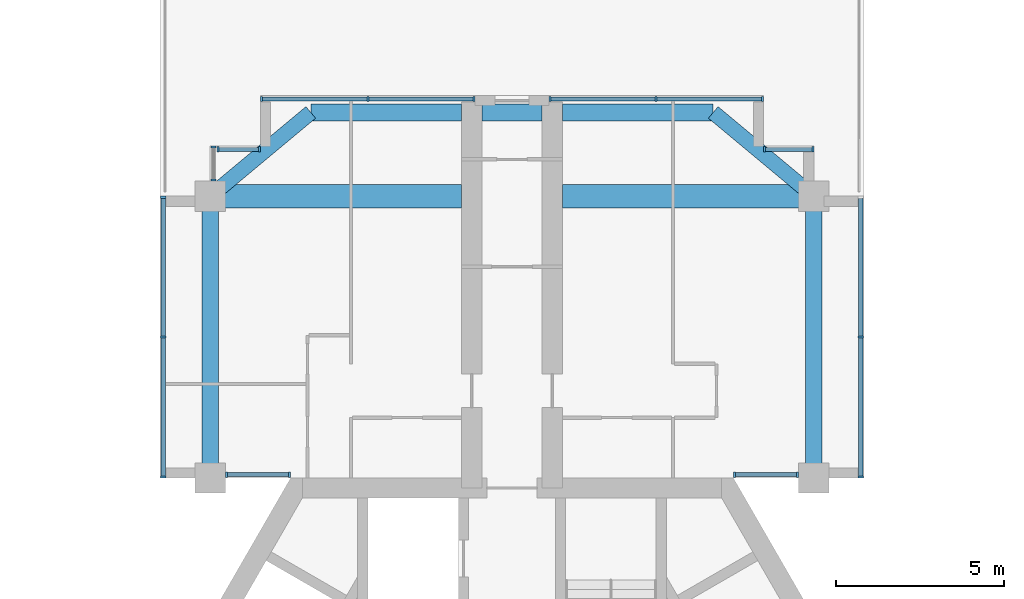
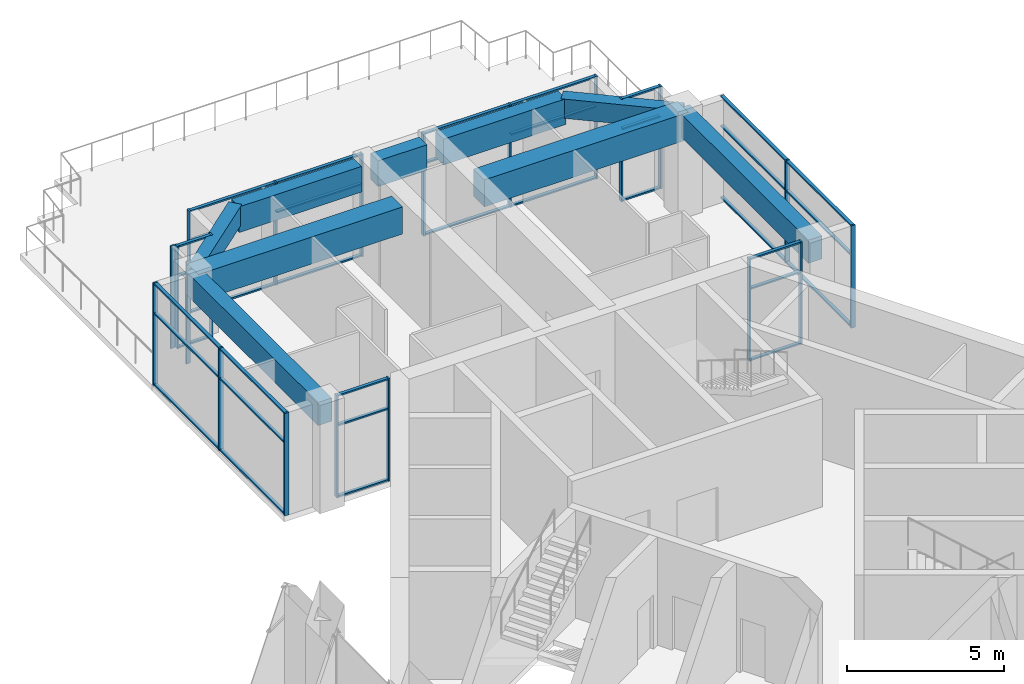
# One storey, part 6 of 15: 57 members, 9 beams, 9 elements without a shape of their own.
"""IFC4 building model written with IfcOpenShell, lengths in metres."""

import ifcopenshell
import ifcopenshell.guid

model = None  # the IFC model being written
_history = None  # IfcOwnerHistory: only IFC2X3 demands one
_inside = {}  # id of a spatial element -> (the spatial element, [elements in it])
_under = {}  # id of a project, library or spatial element -> (it, [spatial elements below it])
_declared = {}  # id of a project -> (the project, [libraries it declares])
_typed = {}  # id of a type object -> (the type object, [elements of that type])
_made_of = {}  # id of a material, layer set ... -> (it, [elements and type objects made of it])


def new_model(schema):
    """Start an empty IFC model of exactly this schema.

    Asked for "IFC4X3", IfcOpenShell would pick the latest addendum, in which some entities
    have other attributes; the version numbers below select the first issue.
    IFC2X3 requires an IfcOwnerHistory on every rooted entity: one is made here for all.
    """
    global model, _history
    if schema == "IFC4X3":
        model = ifcopenshell.file(schema_version=(4, 3, 0, 0))
    else:
        model = ifcopenshell.file(schema=schema)
    _inside.clear()
    _under.clear()
    _declared.clear()
    _typed.clear()
    _made_of.clear()
    _history = None
    if model.schema == "IFC2X3":
        org = make("IfcOrganization", Name="unknown")
        user = make(
            "IfcPersonAndOrganization",
            ThePerson=make("IfcPerson", FamilyName="unknown"),
            TheOrganization=org,
        )
        app = make(
            "IfcApplication",
            ApplicationDeveloper=org,
            Version="unknown",
            ApplicationFullName="unknown",
            ApplicationIdentifier="unknown",
        )
        _history = make(
            "IfcOwnerHistory",
            OwningUser=user,
            OwningApplication=app,
            ChangeAction="ADDED",
            CreationDate=0,
        )
    return model


def make(cls, **values):
    """One entity of the class cls with the attributes given. An attribute that is None is left unset."""
    return model.create_entity(
        cls, **{name: value for name, value in values.items() if value is not None}
    )


def rooted(cls, **values):
    """An entity with a GlobalId (a new one), such as an element, a storey or a relation."""
    return make(cls, GlobalId=ifcopenshell.guid.new(), OwnerHistory=_history, **values)


def si_unit(unit_type, name, prefix=None):
    """IfcSIUnit, for example si_unit("LENGTHUNIT", "METRE", prefix="MILLI")."""
    return make("IfcSIUnit", UnitType=unit_type, Prefix=prefix, Name=name)


def assignment(units):
    """IfcUnitAssignment: the units of a project."""
    return None if units is None else make("IfcUnitAssignment", Units=units)


def point(xyz):
    """IfcCartesianPoint."""
    return None if xyz is None else make("IfcCartesianPoint", Coordinates=xyz)


def direction(xyz):
    """IfcDirection."""
    return None if xyz is None else make("IfcDirection", DirectionRatios=xyz)


def frame(location, z_axis=None, x_axis=None):
    """IfcAxis2Placement3D, a coordinate frame: its origin and axes. An axis left out is left unset."""
    return make(
        "IfcAxis2Placement3D",
        Location=point(location),
        Axis=direction(z_axis),
        RefDirection=direction(x_axis),
    )


def frame_2d(location, x_axis=None):
    """IfcAxis2Placement2D, a coordinate frame in the plane: its origin and x axis."""
    return make(
        "IfcAxis2Placement2D", Location=point(location), RefDirection=direction(x_axis)
    )


def origin():
    """The frame at (0, 0, 0) with its axes left unset."""
    return frame((0.0, 0.0, 0.0))


def origin_2d():
    """The frame at (0, 0) in the plane with its x axis left unset."""
    return frame_2d((0.0, 0.0))


def place(relative_to, where):
    """IfcLocalPlacement: puts the frame where relative to a parent placement (None: the world)."""
    return make(
        "IfcLocalPlacement", PlacementRelTo=relative_to, RelativePlacement=where
    )


def context(
    kind, dimensions, precision=None, world=None, true_north=None, identifier=None
):
    """IfcGeometricRepresentationContext, for example the 3D "Model" context."""
    return make(
        "IfcGeometricRepresentationContext",
        ContextIdentifier=identifier,
        ContextType=kind,
        CoordinateSpaceDimension=dimensions,
        Precision=precision,
        WorldCoordinateSystem=world,
        TrueNorth=true_north,
    )


def subcontext(parent, identifier, kind, view, scale=None):
    """IfcGeometricRepresentationSubContext, for example "Body" below "Model"."""
    return make(
        "IfcGeometricRepresentationSubContext",
        ContextIdentifier=identifier,
        ContextType=kind,
        ParentContext=parent,
        TargetScale=scale,
        TargetView=view,
    )


def project(units=None, contexts=None):
    """IfcProject with its units and contexts."""
    return rooted(
        "IfcProject",
        Name="project",
        RepresentationContexts=contexts,
        UnitsInContext=assignment(units),
    )


def spatial(cls, under=None, at=None, **own):
    """A site, building, storey or space (cls), placed at a placement, below another one or the project."""
    s = rooted(cls, ObjectPlacement=at, **own)
    if under is not None:
        _under.setdefault(under.id(), (under, []))[1].append(s)
    return s


def profile(cls, at=None, kind="AREA", **sizes):
    """A parametric profile (cls). Its sizes go by their IFC names, for example OverallWidth=200.0."""
    return make(cls, ProfileType=kind, Position=at, **sizes)


def rectangle(**sizes):
    """IfcRectangleProfileDef."""
    return profile("IfcRectangleProfileDef", **sizes)


def extrude(swept, where, along, depth):
    """IfcExtrudedAreaSolid: the profile swept, set in the frame where, extruded along a direction by depth."""
    return make(
        "IfcExtrudedAreaSolid",
        SweptArea=swept,
        Position=where,
        ExtrudedDirection=direction(along),
        Depth=depth,
    )


def shape(context_of_items, identifier, shape_type, items):
    """IfcShapeRepresentation: the items that make up one representation, for example the "Body"."""
    return make(
        "IfcShapeRepresentation",
        ContextOfItems=context_of_items,
        RepresentationIdentifier=identifier,
        RepresentationType=shape_type,
        Items=items,
    )


def material(Name=None, Category=None):
    """IfcMaterial."""
    return make("IfcMaterial", Name=Name, Category=Category)


def material_profile(
    of_material, cross_section, Name=None, Category=None, Priority=None
):
    """IfcMaterialProfile: a cross section and its material."""
    return make(
        "IfcMaterialProfile",
        Name=Name,
        Material=of_material,
        Profile=cross_section,
        Priority=Priority,
        Category=Category,
    )


def profile_set(profiles, Name=None, composite=None):
    """IfcMaterialProfileSet."""
    return make(
        "IfcMaterialProfileSet",
        Name=Name,
        MaterialProfiles=profiles,
        CompositeProfile=composite,
    )


def made_of(thing, what):
    """Note that an element or type object is made of a material, layer set ...; save() writes the relation."""
    if what is not None:
        _made_of.setdefault(what.id(), (what, []))[1].append(thing)
    return thing


def type_object(cls, material=None, **own):
    """A type object (cls), such as IfcWallType, which elements share."""
    return made_of(rooted(cls, **own), material)


def element(
    cls,
    number,
    at=None,
    inside=None,
    cuts=None,
    type_object=None,
    material=None,
    context=None,
    identifier="Body",
    shape_type=None,
    held_by="IfcProductDefinitionShape",
    body=None,
    shapes=None,
    **own,
):
    """One element of the class cls, such as IfcWall. Its Tag is "e" and its number.

    at: its placement. inside: the storey or other place that contains it. cuts: it is an
    opening in that element (IfcRelVoidsElement). A single representation is given by context,
    identifier, shape_type and body (its items); several are given by shapes. held_by: the class
    of the entity that holds the representations. save() writes the other relations.
    """
    e = rooted(cls, Tag="e%d" % number, ObjectPlacement=at, **own)
    if body is not None:
        shapes = [shape(context, identifier, shape_type, body)]
    if shapes is not None:
        e.Representation = make(held_by, Representations=shapes)
    if inside is not None:
        _inside.setdefault(inside.id(), (inside, []))[1].append(e)
    if cuts is not None:
        rooted(
            "IfcRelVoidsElement", RelatingBuildingElement=cuts, RelatedOpeningElement=e
        )
    if type_object is not None:
        _typed.setdefault(type_object.id(), (type_object, []))[1].append(e)
    return made_of(e, material)


def aggregate(whole, parts):
    """IfcRelAggregates: a whole, such as a stair, and the parts it consists of."""
    return rooted("IfcRelAggregates", RelatingObject=whole, RelatedObjects=parts)


def save(model, path):
    """Write the relations noted so far, then the file.

    IfcRelAggregates (storeys below a building ...), IfcRelContainedInSpatialStructure (elements
    in a storey), IfcRelDefinesByType, IfcRelAssociatesMaterial and IfcRelDeclares: one each for
    every whole, place, type object, material and project.
    """
    for whole, parts in _under.values():
        aggregate(whole, parts)
    for where, things in _inside.values():
        rooted(
            "IfcRelContainedInSpatialStructure",
            RelatedElements=things,
            RelatingStructure=where,
        )
    for kind, things in _typed.values():
        rooted("IfcRelDefinesByType", RelatedObjects=things, RelatingType=kind)
    for what, things in _made_of.values():
        rooted("IfcRelAssociatesMaterial", RelatedObjects=things, RelatingMaterial=what)
    for by, libraries in _declared.values():
        rooted("IfcRelDeclares", RelatingContext=by, RelatedDefinitions=libraries)
    model.write(path)


model = new_model("IFC4")

# Units and contexts
model_context = context("Model", 3, precision=1e-05, world=origin(), true_north=direction((0.0, 1.0)))
body_context = subcontext(model_context, "Body", "Model", "MODEL_VIEW")
ifc_project = project(units=[si_unit("LENGTHUNIT", "METRE"), si_unit("AREAUNIT", "SQUARE_METRE"), si_unit("VOLUMEUNIT", "CUBIC_METRE"), si_unit("PLANEANGLEUNIT", "RADIAN"), si_unit("MASSUNIT", "GRAM", prefix="KILO")], contexts=[model_context])

# Site, building, storey
site_placement = place(None, origin())
site = spatial("IfcSite", under=ifc_project, at=site_placement, CompositionType="ELEMENT")
building_placement = place(site_placement, origin())
building = spatial("IfcBuilding", under=site, at=building_placement, Name="Impinga Residences", CompositionType="ELEMENT")
storey_placement = place(building_placement, frame((0.0, 0.0, 274.75)))
storey = spatial("IfcBuildingStorey", under=building, at=storey_placement, Name="L69", CompositionType="ELEMENT", Elevation=274.75)

# Beams
ifc_material_1 = material(Name="Concrete C60/75", Category="concrete")
ifc_material_profile_1 = material_profile(ifc_material_1, rectangle(XDim=0.449951171875, YDim=0.75, at=origin_2d()), Name="RC 450x750")
ifc_profile_set_1 = profile_set([ifc_material_profile_1], Name="Concrete C60/75")
beam_type_1 = type_object("IfcBeamType", Name="CB1 450x750 wing end cantilever beam", PredefinedType="BEAM", material=ifc_profile_set_1)
for number, where, z_axis, x_axis, name in (
    (1, (-9.0, 19.83154296875, 3.60498046875), (0.768221279597, 0.640184399664, 0.0), (-0.640184399664, 0.768221279597, 0.0), "Beam CB1 NB N2-NX level L70"),
    (2, (9.0, 19.83154296875, 3.60498046875), (-0.768221279597, 0.640184399664, 0.0), (-0.640184399664, -0.768221279597, 0.0), "Beam CB1 NE N2-NX level L70"),
):
    element("IfcBeam", number, at=place(storey_placement, frame(where, z_axis=z_axis, x_axis=x_axis)), inside=storey, type_object=beam_type_1, Name=name, PredefinedType="BEAM", context=body_context, shape_type="SweptSolid", body=[
        extrude(rectangle(XDim=0.449951171875, YDim=0.75, at=origin_2d()), origin(), (0.0, 0.0, 1.0), 3.905029296875),
    ])
ifc_material_profile_2 = material_profile(ifc_material_1, rectangle(XDim=0.699951171875, YDim=1.050048828125, at=origin_2d()), Name="RC 700x1050")
ifc_profile_set_2 = profile_set([ifc_material_profile_2], Name="Concrete C60/75")
beam_type_2 = type_object("IfcBeamType", Name="CG1 700x1050 cross girder on a wing bay line", PredefinedType="BEAM", material=ifc_profile_set_2)
for number, where, z_axis, x_axis, name in (
    (3, (-1.5, 19.83154296875, 3.455078125), (-1.0, 0.0, 0.0), (0.0, -1.0, 0.0), "Beam CG1 N2 NC/NA level L70"),
    (4, (1.5, 19.83154296875, 3.455078125), (1.0, 0.0, 0.0), (0.0, 1.0, 0.0), "Beam CG1 N2 NC/NF level L70"),
):
    element("IfcBeam", number, at=place(storey_placement, frame(where, z_axis=z_axis, x_axis=x_axis)), inside=storey, type_object=beam_type_2, Name=name, PredefinedType="BEAM", context=body_context, shape_type="SweptSolid", body=[
        extrude(rectangle(XDim=0.699951171875, YDim=1.050048828125, at=origin_2d()), origin(), (0.0, 0.0, 1.0), 7.5),
    ])

# Curtain wall, members
ifc_material_2 = material(Name="Aluminium stick curtain wall", Category="aluminium")
curtain_wall_type = type_object("IfcCurtainWallType", Name="CW3 penthouse curtain wall", PredefinedType="USERDEFINED", material=ifc_material_2)
curtain_wall_1_placement = place(storey_placement, origin())
curtain_wall_1 = element("IfcCurtainWall", 5, at=curtain_wall_1_placement, inside=storey, type_object=curtain_wall_type, Name="Curtain wall CW3 L69", ObjectType="STICK CURTAIN WALL", PredefinedType="USERDEFINED")
ifc_material_3 = material(Name="Aluminium mullion", Category="aluminium")
ifc_material_profile_3 = material_profile(ifc_material_3, rectangle(XDim=0.06005859375, YDim=0.159912109375, at=origin_2d()), Name="60x160 mullion")
ifc_profile_set_3 = profile_set([ifc_material_profile_3], Name="Aluminium mullion")
member_type_1 = type_object("IfcMemberType", Name="CW3-M mullion 60x160", PredefinedType="MULLION", material=ifc_profile_set_3)
member_1_placement = place(storey_placement, frame((-6.6298828125, 11.531494140625, 0.0), z_axis=(0.0, 0.0, 1.0), x_axis=(-1.0, 0.0, 0.0)))
member_1 = element("IfcMember", 6, at=member_1_placement, type_object=member_type_1, Name="CW3 mullion 1", PredefinedType="MULLION", context=body_context, shape_type="SweptSolid", body=[
    extrude(rectangle(XDim=0.06005859375, YDim=0.159912109375, at=origin_2d()), origin(), (0.0, 0.0, 1.0), 3.97998046875),
])
member_2_placement = place(storey_placement, frame((-8.51708984375, 11.531494140625, 0.0), z_axis=(0.0, 0.0, 1.0), x_axis=(-1.0, 0.0, 0.0)))
member_2 = element("IfcMember", 7, at=member_2_placement, type_object=member_type_1, Name="CW3 mullion 2", PredefinedType="MULLION", context=body_context, shape_type="SweptSolid", body=[
    extrude(rectangle(XDim=0.06005859375, YDim=0.159912109375, at=origin_2d()), origin(), (0.0, 0.0, 1.0), 3.97998046875),
])

curtain_wall_2_placement = place(storey_placement, origin())
curtain_wall_2 = element("IfcCurtainWall", 8, at=curtain_wall_2_placement, inside=storey, type_object=curtain_wall_type, Name="Curtain wall CW3 L69", ObjectType="STICK CURTAIN WALL", PredefinedType="USERDEFINED")
member_3_placement = place(storey_placement, frame((-10.39990234375, 11.46142578125, 0.0), z_axis=(0.0, 0.0, 1.0), x_axis=(0.0, 1.0, 0.0)))
member_3 = element("IfcMember", 9, at=member_3_placement, type_object=member_type_1, Name="CW3 mullion 1", PredefinedType="MULLION", context=body_context, shape_type="SweptSolid", body=[
    extrude(rectangle(XDim=0.06005859375, YDim=0.159912109375, at=origin_2d()), origin(), (0.0, 0.0, 1.0), 3.97998046875),
])
member_4_placement = place(storey_placement, frame((-10.39990234375, 15.631591796875, 0.0), z_axis=(0.0, 0.0, 1.0), x_axis=(0.0, 1.0, 0.0)))
member_4 = element("IfcMember", 10, at=member_4_placement, type_object=member_type_1, Name="CW3 mullion 2", PredefinedType="MULLION", context=body_context, shape_type="SweptSolid", body=[
    extrude(rectangle(XDim=0.06005859375, YDim=0.159912109375, at=origin_2d()), origin(), (0.0, 0.0, 1.0), 3.97998046875),
])
member_5_placement = place(storey_placement, frame((-10.39990234375, 19.801513671875, 0.0), z_axis=(0.0, 0.0, 1.0), x_axis=(0.0, 1.0, 0.0)))
member_5 = element("IfcMember", 11, at=member_5_placement, type_object=member_type_1, Name="CW3 mullion 3", PredefinedType="MULLION", context=body_context, shape_type="SweptSolid", body=[
    extrude(rectangle(XDim=0.06005859375, YDim=0.159912109375, at=origin_2d()), origin(), (0.0, 0.0, 1.0), 3.97998046875),
])

curtain_wall_3_placement = place(storey_placement, origin())
curtain_wall_3 = element("IfcCurtainWall", 12, at=curtain_wall_3_placement, inside=storey, type_object=curtain_wall_type, Name="Curtain wall CW3 L69", ObjectType="STICK CURTAIN WALL", PredefinedType="USERDEFINED")
member_6_placement = place(storey_placement, frame((-8.89990234375, 20.314453125, 0.0), z_axis=(0.0, 0.0, 1.0), x_axis=(0.0, 1.0, 0.0)))
member_6 = element("IfcMember", 13, at=member_6_placement, type_object=member_type_1, Name="CW3 mullion 1", PredefinedType="MULLION", context=body_context, shape_type="SweptSolid", body=[
    extrude(rectangle(XDim=0.06005859375, YDim=0.159912109375, at=origin_2d()), origin(), (0.0, 0.0, 1.0), 3.97998046875),
])
member_7_placement = place(storey_placement, frame((-8.89990234375, 21.301513671875, 0.0), z_axis=(0.0, 0.0, 1.0), x_axis=(0.0, 1.0, 0.0)))
member_7 = element("IfcMember", 14, at=member_7_placement, type_object=member_type_1, Name="CW3 mullion 2", PredefinedType="MULLION", context=body_context, shape_type="SweptSolid", body=[
    extrude(rectangle(XDim=0.06005859375, YDim=0.159912109375, at=origin_2d()), origin(), (0.0, 0.0, 1.0), 3.97998046875),
])
aggregate(curtain_wall_3, [member_6, member_7])

curtain_wall_4_placement = place(storey_placement, origin())
curtain_wall_4 = element("IfcCurtainWall", 15, at=curtain_wall_4_placement, inside=storey, type_object=curtain_wall_type, Name="Curtain wall CW3 L69", ObjectType="STICK CURTAIN WALL", PredefinedType="USERDEFINED")
member_8_placement = place(storey_placement, frame((-8.77001953125, 21.2314453125, 0.0), z_axis=(0.0, 0.0, 1.0), x_axis=(1.0, 0.0, 0.0)))
member_8 = element("IfcMember", 16, at=member_8_placement, type_object=member_type_1, Name="CW3 mullion 1", PredefinedType="MULLION", context=body_context, shape_type="SweptSolid", body=[
    extrude(rectangle(XDim=0.06005859375, YDim=0.159912109375, at=origin_2d()), origin(), (0.0, 0.0, 1.0), 3.97998046875),
])
member_9_placement = place(storey_placement, frame((-7.530029296875, 21.2314453125, 0.0), z_axis=(0.0, 0.0, 1.0), x_axis=(1.0, 0.0, 0.0)))
member_9 = element("IfcMember", 17, at=member_9_placement, type_object=member_type_1, Name="CW3 mullion 2", PredefinedType="MULLION", context=body_context, shape_type="SweptSolid", body=[
    extrude(rectangle(XDim=0.06005859375, YDim=0.159912109375, at=origin_2d()), origin(), (0.0, 0.0, 1.0), 3.97998046875),
])

curtain_wall_5_placement = place(storey_placement, origin())
curtain_wall_5 = element("IfcCurtainWall", 18, at=curtain_wall_5_placement, inside=storey, type_object=curtain_wall_type, Name="Curtain wall CW3 L69", ObjectType="STICK CURTAIN WALL", PredefinedType="USERDEFINED")
member_10_placement = place(storey_placement, frame((-7.469970703125, 22.7314453125, 0.0), z_axis=(0.0, 0.0, 1.0), x_axis=(1.0, 0.0, 0.0)))
member_10 = element("IfcMember", 19, at=member_10_placement, type_object=member_type_1, Name="CW3 mullion 1", PredefinedType="MULLION", context=body_context, shape_type="SweptSolid", body=[
    extrude(rectangle(XDim=0.06005859375, YDim=0.159912109375, at=origin_2d()), origin(), (0.0, 0.0, 1.0), 3.97998046875),
])
member_11_placement = place(storey_placement, frame((-4.300048828125, 22.7314453125, 0.0), z_axis=(0.0, 0.0, 1.0), x_axis=(1.0, 0.0, 0.0)))
member_11 = element("IfcMember", 20, at=member_11_placement, type_object=member_type_1, Name="CW3 mullion 2", PredefinedType="MULLION", context=body_context, shape_type="SweptSolid", body=[
    extrude(rectangle(XDim=0.06005859375, YDim=0.159912109375, at=origin_2d()), origin(), (0.0, 0.0, 1.0), 3.97998046875),
])
member_12_placement = place(storey_placement, frame((-1.1298828125, 22.7314453125, 0.0), z_axis=(0.0, 0.0, 1.0), x_axis=(1.0, 0.0, 0.0)))
member_12 = element("IfcMember", 21, at=member_12_placement, type_object=member_type_1, Name="CW3 mullion 3", PredefinedType="MULLION", context=body_context, shape_type="SweptSolid", body=[
    extrude(rectangle(XDim=0.06005859375, YDim=0.159912109375, at=origin_2d()), origin(), (0.0, 0.0, 1.0), 3.97998046875),
])

curtain_wall_6_placement = place(storey_placement, origin())
curtain_wall_6 = element("IfcCurtainWall", 22, at=curtain_wall_6_placement, inside=storey, type_object=curtain_wall_type, Name="Curtain wall CW3 L69", ObjectType="STICK CURTAIN WALL", PredefinedType="USERDEFINED")
member_13_placement = place(storey_placement, frame((1.1298828125, 22.7314453125, 0.0), z_axis=(0.0, 0.0, 1.0), x_axis=(1.0, 0.0, 0.0)))
member_13 = element("IfcMember", 23, at=member_13_placement, type_object=member_type_1, Name="CW3 mullion 1", PredefinedType="MULLION", context=body_context, shape_type="SweptSolid", body=[
    extrude(rectangle(XDim=0.06005859375, YDim=0.159912109375, at=origin_2d()), origin(), (0.0, 0.0, 1.0), 3.97998046875),
])
member_14_placement = place(storey_placement, frame((4.300048828125, 22.7314453125, 0.0), z_axis=(0.0, 0.0, 1.0), x_axis=(1.0, 0.0, 0.0)))
member_14 = element("IfcMember", 24, at=member_14_placement, type_object=member_type_1, Name="CW3 mullion 2", PredefinedType="MULLION", context=body_context, shape_type="SweptSolid", body=[
    extrude(rectangle(XDim=0.06005859375, YDim=0.159912109375, at=origin_2d()), origin(), (0.0, 0.0, 1.0), 3.97998046875),
])
member_15_placement = place(storey_placement, frame((7.469970703125, 22.7314453125, 0.0), z_axis=(0.0, 0.0, 1.0), x_axis=(1.0, 0.0, 0.0)))
member_15 = element("IfcMember", 25, at=member_15_placement, type_object=member_type_1, Name="CW3 mullion 3", PredefinedType="MULLION", context=body_context, shape_type="SweptSolid", body=[
    extrude(rectangle(XDim=0.06005859375, YDim=0.159912109375, at=origin_2d()), origin(), (0.0, 0.0, 1.0), 3.97998046875),
])

curtain_wall_7_placement = place(storey_placement, origin())
curtain_wall_7 = element("IfcCurtainWall", 26, at=curtain_wall_7_placement, inside=storey, type_object=curtain_wall_type, Name="Curtain wall CW3 L69", ObjectType="STICK CURTAIN WALL", PredefinedType="USERDEFINED")
member_16_placement = place(storey_placement, frame((7.530029296875, 21.2314453125, 0.0), z_axis=(0.0, 0.0, 1.0), x_axis=(1.0, 0.0, 0.0)))
member_16 = element("IfcMember", 27, at=member_16_placement, type_object=member_type_1, Name="CW3 mullion 1", PredefinedType="MULLION", context=body_context, shape_type="SweptSolid", body=[
    extrude(rectangle(XDim=0.06005859375, YDim=0.159912109375, at=origin_2d()), origin(), (0.0, 0.0, 1.0), 3.97998046875),
])
member_17_placement = place(storey_placement, frame((8.969970703125, 21.2314453125, 0.0), z_axis=(0.0, 0.0, 1.0), x_axis=(1.0, 0.0, 0.0)))
member_17 = element("IfcMember", 28, at=member_17_placement, type_object=member_type_1, Name="CW3 mullion 2", PredefinedType="MULLION", context=body_context, shape_type="SweptSolid", body=[
    extrude(rectangle(XDim=0.06005859375, YDim=0.159912109375, at=origin_2d()), origin(), (0.0, 0.0, 1.0), 3.97998046875),
])

curtain_wall_8_placement = place(storey_placement, origin())
curtain_wall_8 = element("IfcCurtainWall", 29, at=curtain_wall_8_placement, inside=storey, type_object=curtain_wall_type, Name="Curtain wall CW3 L69", ObjectType="STICK CURTAIN WALL", PredefinedType="USERDEFINED")
member_18_placement = place(storey_placement, frame((10.39990234375, 15.631591796875, 0.0), z_axis=(0.0, 0.0, 1.0), x_axis=(0.0, -1.0, 0.0)))
member_18 = element("IfcMember", 30, at=member_18_placement, type_object=member_type_1, Name="CW3 mullion 2", PredefinedType="MULLION", context=body_context, shape_type="SweptSolid", body=[
    extrude(rectangle(XDim=0.06005859375, YDim=0.159912109375, at=origin_2d()), origin(), (0.0, 0.0, 1.0), 3.97998046875),
])
member_19_placement = place(storey_placement, frame((10.39990234375, 11.46142578125, 0.0), z_axis=(0.0, 0.0, 1.0), x_axis=(0.0, -1.0, 0.0)))
member_19 = element("IfcMember", 31, at=member_19_placement, type_object=member_type_1, Name="CW3 mullion 3", PredefinedType="MULLION", context=body_context, shape_type="SweptSolid", body=[
    extrude(rectangle(XDim=0.06005859375, YDim=0.159912109375, at=origin_2d()), origin(), (0.0, 0.0, 1.0), 3.97998046875),
])

curtain_wall_9_placement = place(storey_placement, origin())
curtain_wall_9 = element("IfcCurtainWall", 32, at=curtain_wall_9_placement, inside=storey, type_object=curtain_wall_type, Name="Curtain wall CW3 L69", ObjectType="STICK CURTAIN WALL", PredefinedType="USERDEFINED")
member_20_placement = place(storey_placement, frame((8.51708984375, 11.531494140625, 0.0), z_axis=(0.0, 0.0, 1.0), x_axis=(-1.0, 0.0, 0.0)))
member_20 = element("IfcMember", 33, at=member_20_placement, type_object=member_type_1, Name="CW3 mullion 1", PredefinedType="MULLION", context=body_context, shape_type="SweptSolid", body=[
    extrude(rectangle(XDim=0.06005859375, YDim=0.159912109375, at=origin_2d()), origin(), (0.0, 0.0, 1.0), 3.97998046875),
])
member_21_placement = place(storey_placement, frame((6.6298828125, 11.531494140625, 0.0), z_axis=(0.0, 0.0, 1.0), x_axis=(-1.0, 0.0, 0.0)))
member_21 = element("IfcMember", 34, at=member_21_placement, type_object=member_type_1, Name="CW3 mullion 2", PredefinedType="MULLION", context=body_context, shape_type="SweptSolid", body=[
    extrude(rectangle(XDim=0.06005859375, YDim=0.159912109375, at=origin_2d()), origin(), (0.0, 0.0, 1.0), 3.97998046875),
])

# Member
ifc_material_4 = material(Name="Aluminium transom", Category="aluminium")
ifc_material_profile_4 = material_profile(ifc_material_4, rectangle(XDim=0.06005859375, YDim=0.1201171875, at=origin_2d()), Name="60x120 transom")
ifc_profile_set_4 = profile_set([ifc_material_profile_4], Name="Aluminium transom")
member_type_2 = type_object("IfcMemberType", Name="CW3-T transom 60x120", PredefinedType="USERDEFINED", material=ifc_profile_set_4)
member_22_placement = place(storey_placement, frame((-6.659912109375, 11.531494140625, 0.030029296875), z_axis=(-1.0, 0.0, 0.0), x_axis=(0.0, 0.0, 1.0)))
member_22 = element("IfcMember", 35, at=member_22_placement, type_object=member_type_2, Name="CW3 transom 1.1", ObjectType="TRANSOM", PredefinedType="USERDEFINED", context=body_context, shape_type="SweptSolid", body=[
    extrude(rectangle(XDim=0.06005859375, YDim=0.1201171875, at=origin_2d()), origin(), (0.0, 0.0, 1.0), 1.8271484375),
])

member_23_placement = place(storey_placement, frame((-6.659912109375, 11.531494140625, 2.800048828125), z_axis=(-1.0, 0.0, 0.0), x_axis=(0.0, 0.0, 1.0)))
member_23 = element("IfcMember", 36, at=member_23_placement, type_object=member_type_2, Name="CW3 transom 1.2", ObjectType="TRANSOM", PredefinedType="USERDEFINED", context=body_context, shape_type="SweptSolid", body=[
    extrude(rectangle(XDim=0.06005859375, YDim=0.1201171875, at=origin_2d()), origin(), (0.0, 0.0, 1.0), 1.8271484375),
])

member_24_placement = place(storey_placement, frame((-6.659912109375, 11.531494140625, 3.949951171875), z_axis=(-1.0, 0.0, 0.0), x_axis=(0.0, 0.0, 1.0)))
member_24 = element("IfcMember", 37, at=member_24_placement, type_object=member_type_2, Name="CW3 transom 1.3", ObjectType="TRANSOM", PredefinedType="USERDEFINED", context=body_context, shape_type="SweptSolid", body=[
    extrude(rectangle(XDim=0.06005859375, YDim=0.1201171875, at=origin_2d()), origin(), (0.0, 0.0, 1.0), 1.8271484375),
])

aggregate(curtain_wall_1, [member_1, member_2, member_22, member_23, member_24])

member_25_placement = place(storey_placement, frame((-10.39990234375, 11.491455078125, 0.030029296875), z_axis=(0.0, 1.0, 0.0), x_axis=(0.0, 0.0, 1.0)))
member_25 = element("IfcMember", 38, at=member_25_placement, type_object=member_type_2, Name="CW3 transom 1.1", ObjectType="TRANSOM", PredefinedType="USERDEFINED", context=body_context, shape_type="SweptSolid", body=[
    extrude(rectangle(XDim=0.06005859375, YDim=0.1201171875, at=origin_2d()), origin(), (0.0, 0.0, 1.0), 4.110107421875),
])

member_26_placement = place(storey_placement, frame((-10.39990234375, 11.491455078125, 2.800048828125), z_axis=(0.0, 1.0, 0.0), x_axis=(0.0, 0.0, 1.0)))
member_26 = element("IfcMember", 39, at=member_26_placement, type_object=member_type_2, Name="CW3 transom 1.2", ObjectType="TRANSOM", PredefinedType="USERDEFINED", context=body_context, shape_type="SweptSolid", body=[
    extrude(rectangle(XDim=0.06005859375, YDim=0.1201171875, at=origin_2d()), origin(), (0.0, 0.0, 1.0), 4.110107421875),
])

member_27_placement = place(storey_placement, frame((-10.39990234375, 11.491455078125, 3.949951171875), z_axis=(0.0, 1.0, 0.0), x_axis=(0.0, 0.0, 1.0)))
member_27 = element("IfcMember", 40, at=member_27_placement, type_object=member_type_2, Name="CW3 transom 1.3", ObjectType="TRANSOM", PredefinedType="USERDEFINED", context=body_context, shape_type="SweptSolid", body=[
    extrude(rectangle(XDim=0.06005859375, YDim=0.1201171875, at=origin_2d()), origin(), (0.0, 0.0, 1.0), 4.110107421875),
])

member_28_placement = place(storey_placement, frame((-10.39990234375, 15.66162109375, 0.030029296875), z_axis=(0.0, 1.0, 0.0), x_axis=(0.0, 0.0, 1.0)))
member_28 = element("IfcMember", 41, at=member_28_placement, type_object=member_type_2, Name="CW3 transom 2.1", ObjectType="TRANSOM", PredefinedType="USERDEFINED", context=body_context, shape_type="SweptSolid", body=[
    extrude(rectangle(XDim=0.06005859375, YDim=0.1201171875, at=origin_2d()), origin(), (0.0, 0.0, 1.0), 4.10986328125),
])

member_29_placement = place(storey_placement, frame((-10.39990234375, 15.66162109375, 2.800048828125), z_axis=(0.0, 1.0, 0.0), x_axis=(0.0, 0.0, 1.0)))
member_29 = element("IfcMember", 42, at=member_29_placement, type_object=member_type_2, Name="CW3 transom 2.2", ObjectType="TRANSOM", PredefinedType="USERDEFINED", context=body_context, shape_type="SweptSolid", body=[
    extrude(rectangle(XDim=0.06005859375, YDim=0.1201171875, at=origin_2d()), origin(), (0.0, 0.0, 1.0), 4.10986328125),
])

member_30_placement = place(storey_placement, frame((-10.39990234375, 15.66162109375, 3.949951171875), z_axis=(0.0, 1.0, 0.0), x_axis=(0.0, 0.0, 1.0)))
member_30 = element("IfcMember", 43, at=member_30_placement, type_object=member_type_2, Name="CW3 transom 2.3", ObjectType="TRANSOM", PredefinedType="USERDEFINED", context=body_context, shape_type="SweptSolid", body=[
    extrude(rectangle(XDim=0.06005859375, YDim=0.1201171875, at=origin_2d()), origin(), (0.0, 0.0, 1.0), 4.10986328125),
])

aggregate(curtain_wall_2, [member_3, member_4, member_5, member_25, member_26, member_27, member_28, member_29, member_30])

member_31_placement = place(storey_placement, frame((-8.739990234375, 21.2314453125, 0.030029296875), z_axis=(1.0, 0.0, 0.0), x_axis=(0.0, 0.0, 1.0)))
member_31 = element("IfcMember", 44, at=member_31_placement, type_object=member_type_2, Name="CW3 transom 1.1", ObjectType="TRANSOM", PredefinedType="USERDEFINED", context=body_context, shape_type="SweptSolid", body=[
    extrude(rectangle(XDim=0.06005859375, YDim=0.1201171875, at=origin_2d()), origin(), (0.0, 0.0, 1.0), 1.179931640625),
])

member_32_placement = place(storey_placement, frame((-8.739990234375, 21.2314453125, 2.800048828125), z_axis=(1.0, 0.0, 0.0), x_axis=(0.0, 0.0, 1.0)))
member_32 = element("IfcMember", 45, at=member_32_placement, type_object=member_type_2, Name="CW3 transom 1.2", ObjectType="TRANSOM", PredefinedType="USERDEFINED", context=body_context, shape_type="SweptSolid", body=[
    extrude(rectangle(XDim=0.06005859375, YDim=0.1201171875, at=origin_2d()), origin(), (0.0, 0.0, 1.0), 1.179931640625),
])

member_33_placement = place(storey_placement, frame((-8.739990234375, 21.2314453125, 3.949951171875), z_axis=(1.0, 0.0, 0.0), x_axis=(0.0, 0.0, 1.0)))
member_33 = element("IfcMember", 46, at=member_33_placement, type_object=member_type_2, Name="CW3 transom 1.3", ObjectType="TRANSOM", PredefinedType="USERDEFINED", context=body_context, shape_type="SweptSolid", body=[
    extrude(rectangle(XDim=0.06005859375, YDim=0.1201171875, at=origin_2d()), origin(), (0.0, 0.0, 1.0), 1.179931640625),
])

aggregate(curtain_wall_4, [member_8, member_9, member_31, member_32, member_33])

member_34_placement = place(storey_placement, frame((-7.43994140625, 22.7314453125, 0.030029296875), z_axis=(1.0, 0.0, 0.0), x_axis=(0.0, 0.0, 1.0)))
member_34 = element("IfcMember", 47, at=member_34_placement, type_object=member_type_2, Name="CW3 transom 1.1", ObjectType="TRANSOM", PredefinedType="USERDEFINED", context=body_context, shape_type="SweptSolid", body=[
    extrude(rectangle(XDim=0.06005859375, YDim=0.1201171875, at=origin_2d()), origin(), (0.0, 0.0, 1.0), 3.10986328125),
])

member_35_placement = place(storey_placement, frame((-7.43994140625, 22.7314453125, 2.800048828125), z_axis=(1.0, 0.0, 0.0), x_axis=(0.0, 0.0, 1.0)))
member_35 = element("IfcMember", 48, at=member_35_placement, type_object=member_type_2, Name="CW3 transom 1.2", ObjectType="TRANSOM", PredefinedType="USERDEFINED", context=body_context, shape_type="SweptSolid", body=[
    extrude(rectangle(XDim=0.06005859375, YDim=0.1201171875, at=origin_2d()), origin(), (0.0, 0.0, 1.0), 3.10986328125),
])

member_36_placement = place(storey_placement, frame((-7.43994140625, 22.7314453125, 3.949951171875), z_axis=(1.0, 0.0, 0.0), x_axis=(0.0, 0.0, 1.0)))
member_36 = element("IfcMember", 49, at=member_36_placement, type_object=member_type_2, Name="CW3 transom 1.3", ObjectType="TRANSOM", PredefinedType="USERDEFINED", context=body_context, shape_type="SweptSolid", body=[
    extrude(rectangle(XDim=0.06005859375, YDim=0.1201171875, at=origin_2d()), origin(), (0.0, 0.0, 1.0), 3.10986328125),
])

member_37_placement = place(storey_placement, frame((-4.27001953125, 22.7314453125, 0.030029296875), z_axis=(1.0, 0.0, 0.0), x_axis=(0.0, 0.0, 1.0)))
member_37 = element("IfcMember", 50, at=member_37_placement, type_object=member_type_2, Name="CW3 transom 2.1", ObjectType="TRANSOM", PredefinedType="USERDEFINED", context=body_context, shape_type="SweptSolid", body=[
    extrude(rectangle(XDim=0.06005859375, YDim=0.1201171875, at=origin_2d()), origin(), (0.0, 0.0, 1.0), 3.110107421875),
])

member_38_placement = place(storey_placement, frame((-4.27001953125, 22.7314453125, 2.800048828125), z_axis=(1.0, 0.0, 0.0), x_axis=(0.0, 0.0, 1.0)))
member_38 = element("IfcMember", 51, at=member_38_placement, type_object=member_type_2, Name="CW3 transom 2.2", ObjectType="TRANSOM", PredefinedType="USERDEFINED", context=body_context, shape_type="SweptSolid", body=[
    extrude(rectangle(XDim=0.06005859375, YDim=0.1201171875, at=origin_2d()), origin(), (0.0, 0.0, 1.0), 3.110107421875),
])

member_39_placement = place(storey_placement, frame((-4.27001953125, 22.7314453125, 3.949951171875), z_axis=(1.0, 0.0, 0.0), x_axis=(0.0, 0.0, 1.0)))
member_39 = element("IfcMember", 52, at=member_39_placement, type_object=member_type_2, Name="CW3 transom 2.3", ObjectType="TRANSOM", PredefinedType="USERDEFINED", context=body_context, shape_type="SweptSolid", body=[
    extrude(rectangle(XDim=0.06005859375, YDim=0.1201171875, at=origin_2d()), origin(), (0.0, 0.0, 1.0), 3.110107421875),
])

aggregate(curtain_wall_5, [member_10, member_11, member_12, member_34, member_35, member_36, member_37, member_38, member_39])

member_40_placement = place(storey_placement, frame((1.159912109375, 22.7314453125, 0.030029296875), z_axis=(1.0, 0.0, 0.0), x_axis=(0.0, 0.0, 1.0)))
member_40 = element("IfcMember", 53, at=member_40_placement, type_object=member_type_2, Name="CW3 transom 1.1", ObjectType="TRANSOM", PredefinedType="USERDEFINED", context=body_context, shape_type="SweptSolid", body=[
    extrude(rectangle(XDim=0.06005859375, YDim=0.1201171875, at=origin_2d()), origin(), (0.0, 0.0, 1.0), 3.110107421875),
])

member_41_placement = place(storey_placement, frame((1.159912109375, 22.7314453125, 2.800048828125), z_axis=(1.0, 0.0, 0.0), x_axis=(0.0, 0.0, 1.0)))
member_41 = element("IfcMember", 54, at=member_41_placement, type_object=member_type_2, Name="CW3 transom 1.2", ObjectType="TRANSOM", PredefinedType="USERDEFINED", context=body_context, shape_type="SweptSolid", body=[
    extrude(rectangle(XDim=0.06005859375, YDim=0.1201171875, at=origin_2d()), origin(), (0.0, 0.0, 1.0), 3.110107421875),
])

member_42_placement = place(storey_placement, frame((1.159912109375, 22.7314453125, 3.949951171875), z_axis=(1.0, 0.0, 0.0), x_axis=(0.0, 0.0, 1.0)))
member_42 = element("IfcMember", 55, at=member_42_placement, type_object=member_type_2, Name="CW3 transom 1.3", ObjectType="TRANSOM", PredefinedType="USERDEFINED", context=body_context, shape_type="SweptSolid", body=[
    extrude(rectangle(XDim=0.06005859375, YDim=0.1201171875, at=origin_2d()), origin(), (0.0, 0.0, 1.0), 3.110107421875),
])

member_43_placement = place(storey_placement, frame((4.330078125, 22.7314453125, 0.030029296875), z_axis=(1.0, 0.0, 0.0), x_axis=(0.0, 0.0, 1.0)))
member_43 = element("IfcMember", 56, at=member_43_placement, type_object=member_type_2, Name="CW3 transom 2.1", ObjectType="TRANSOM", PredefinedType="USERDEFINED", context=body_context, shape_type="SweptSolid", body=[
    extrude(rectangle(XDim=0.06005859375, YDim=0.1201171875, at=origin_2d()), origin(), (0.0, 0.0, 1.0), 3.10986328125),
])

member_44_placement = place(storey_placement, frame((4.330078125, 22.7314453125, 2.800048828125), z_axis=(1.0, 0.0, 0.0), x_axis=(0.0, 0.0, 1.0)))
member_44 = element("IfcMember", 57, at=member_44_placement, type_object=member_type_2, Name="CW3 transom 2.2", ObjectType="TRANSOM", PredefinedType="USERDEFINED", context=body_context, shape_type="SweptSolid", body=[
    extrude(rectangle(XDim=0.06005859375, YDim=0.1201171875, at=origin_2d()), origin(), (0.0, 0.0, 1.0), 3.10986328125),
])

member_45_placement = place(storey_placement, frame((4.330078125, 22.7314453125, 3.949951171875), z_axis=(1.0, 0.0, 0.0), x_axis=(0.0, 0.0, 1.0)))
member_45 = element("IfcMember", 58, at=member_45_placement, type_object=member_type_2, Name="CW3 transom 2.3", ObjectType="TRANSOM", PredefinedType="USERDEFINED", context=body_context, shape_type="SweptSolid", body=[
    extrude(rectangle(XDim=0.06005859375, YDim=0.1201171875, at=origin_2d()), origin(), (0.0, 0.0, 1.0), 3.10986328125),
])

aggregate(curtain_wall_6, [member_13, member_14, member_15, member_40, member_41, member_42, member_43, member_44, member_45])

member_46_placement = place(storey_placement, frame((7.56005859375, 21.2314453125, 0.030029296875), z_axis=(1.0, 0.0, 0.0), x_axis=(0.0, 0.0, 1.0)))
member_46 = element("IfcMember", 59, at=member_46_placement, type_object=member_type_2, Name="CW3 transom 1.1", ObjectType="TRANSOM", PredefinedType="USERDEFINED", context=body_context, shape_type="SweptSolid", body=[
    extrude(rectangle(XDim=0.06005859375, YDim=0.1201171875, at=origin_2d()), origin(), (0.0, 0.0, 1.0), 1.3798828125),
])

member_47_placement = place(storey_placement, frame((7.56005859375, 21.2314453125, 2.800048828125), z_axis=(1.0, 0.0, 0.0), x_axis=(0.0, 0.0, 1.0)))
member_47 = element("IfcMember", 60, at=member_47_placement, type_object=member_type_2, Name="CW3 transom 1.2", ObjectType="TRANSOM", PredefinedType="USERDEFINED", context=body_context, shape_type="SweptSolid", body=[
    extrude(rectangle(XDim=0.06005859375, YDim=0.1201171875, at=origin_2d()), origin(), (0.0, 0.0, 1.0), 1.3798828125),
])

member_48_placement = place(storey_placement, frame((7.56005859375, 21.2314453125, 3.949951171875), z_axis=(1.0, 0.0, 0.0), x_axis=(0.0, 0.0, 1.0)))
member_48 = element("IfcMember", 61, at=member_48_placement, type_object=member_type_2, Name="CW3 transom 1.3", ObjectType="TRANSOM", PredefinedType="USERDEFINED", context=body_context, shape_type="SweptSolid", body=[
    extrude(rectangle(XDim=0.06005859375, YDim=0.1201171875, at=origin_2d()), origin(), (0.0, 0.0, 1.0), 1.3798828125),
])

aggregate(curtain_wall_7, [member_16, member_17, member_46, member_47, member_48])

member_49_placement = place(storey_placement, frame((10.39990234375, 19.771484375, 0.030029296875), z_axis=(0.0, -1.0, 0.0), x_axis=(0.0, 0.0, 1.0)))
member_49 = element("IfcMember", 62, at=member_49_placement, type_object=member_type_2, Name="CW3 transom 1.1", ObjectType="TRANSOM", PredefinedType="USERDEFINED", context=body_context, shape_type="SweptSolid", body=[
    extrude(rectangle(XDim=0.06005859375, YDim=0.1201171875, at=origin_2d()), origin(), (0.0, 0.0, 1.0), 4.10986328125),
])

member_50_placement = place(storey_placement, frame((10.39990234375, 19.771484375, 2.800048828125), z_axis=(0.0, -1.0, 0.0), x_axis=(0.0, 0.0, 1.0)))
member_50 = element("IfcMember", 63, at=member_50_placement, type_object=member_type_2, Name="CW3 transom 1.2", ObjectType="TRANSOM", PredefinedType="USERDEFINED", context=body_context, shape_type="SweptSolid", body=[
    extrude(rectangle(XDim=0.06005859375, YDim=0.1201171875, at=origin_2d()), origin(), (0.0, 0.0, 1.0), 4.10986328125),
])

member_51_placement = place(storey_placement, frame((10.39990234375, 19.771484375, 3.949951171875), z_axis=(0.0, -1.0, 0.0), x_axis=(0.0, 0.0, 1.0)))
member_51 = element("IfcMember", 64, at=member_51_placement, type_object=member_type_2, Name="CW3 transom 1.3", ObjectType="TRANSOM", PredefinedType="USERDEFINED", context=body_context, shape_type="SweptSolid", body=[
    extrude(rectangle(XDim=0.06005859375, YDim=0.1201171875, at=origin_2d()), origin(), (0.0, 0.0, 1.0), 4.10986328125),
])

member_52_placement = place(storey_placement, frame((10.39990234375, 15.6015625, 0.030029296875), z_axis=(0.0, -1.0, 0.0), x_axis=(0.0, 0.0, 1.0)))
member_52 = element("IfcMember", 65, at=member_52_placement, type_object=member_type_2, Name="CW3 transom 2.1", ObjectType="TRANSOM", PredefinedType="USERDEFINED", context=body_context, shape_type="SweptSolid", body=[
    extrude(rectangle(XDim=0.06005859375, YDim=0.1201171875, at=origin_2d()), origin(), (0.0, 0.0, 1.0), 4.110107421875),
])

member_53_placement = place(storey_placement, frame((10.39990234375, 15.6015625, 2.800048828125), z_axis=(0.0, -1.0, 0.0), x_axis=(0.0, 0.0, 1.0)))
member_53 = element("IfcMember", 66, at=member_53_placement, type_object=member_type_2, Name="CW3 transom 2.2", ObjectType="TRANSOM", PredefinedType="USERDEFINED", context=body_context, shape_type="SweptSolid", body=[
    extrude(rectangle(XDim=0.06005859375, YDim=0.1201171875, at=origin_2d()), origin(), (0.0, 0.0, 1.0), 4.110107421875),
])

member_54_placement = place(storey_placement, frame((10.39990234375, 15.6015625, 3.949951171875), z_axis=(0.0, -1.0, 0.0), x_axis=(0.0, 0.0, 1.0)))
member_54 = element("IfcMember", 67, at=member_54_placement, type_object=member_type_2, Name="CW3 transom 2.3", ObjectType="TRANSOM", PredefinedType="USERDEFINED", context=body_context, shape_type="SweptSolid", body=[
    extrude(rectangle(XDim=0.06005859375, YDim=0.1201171875, at=origin_2d()), origin(), (0.0, 0.0, 1.0), 4.110107421875),
])

aggregate(curtain_wall_8, [member_18, member_19, member_49, member_50, member_51, member_52, member_53, member_54])

member_55_placement = place(storey_placement, frame((8.487060546875, 11.531494140625, 0.030029296875), z_axis=(-1.0, 0.0, 0.0), x_axis=(0.0, 0.0, 1.0)))
member_55 = element("IfcMember", 68, at=member_55_placement, type_object=member_type_2, Name="CW3 transom 1.1", ObjectType="TRANSOM", PredefinedType="USERDEFINED", context=body_context, shape_type="SweptSolid", body=[
    extrude(rectangle(XDim=0.06005859375, YDim=0.1201171875, at=origin_2d()), origin(), (0.0, 0.0, 1.0), 1.8271484375),
])

member_56_placement = place(storey_placement, frame((8.487060546875, 11.531494140625, 2.800048828125), z_axis=(-1.0, 0.0, 0.0), x_axis=(0.0, 0.0, 1.0)))
member_56 = element("IfcMember", 69, at=member_56_placement, type_object=member_type_2, Name="CW3 transom 1.2", ObjectType="TRANSOM", PredefinedType="USERDEFINED", context=body_context, shape_type="SweptSolid", body=[
    extrude(rectangle(XDim=0.06005859375, YDim=0.1201171875, at=origin_2d()), origin(), (0.0, 0.0, 1.0), 1.8271484375),
])

member_57_placement = place(storey_placement, frame((8.487060546875, 11.531494140625, 3.949951171875), z_axis=(-1.0, 0.0, 0.0), x_axis=(0.0, 0.0, 1.0)))
member_57 = element("IfcMember", 70, at=member_57_placement, type_object=member_type_2, Name="CW3 transom 1.3", ObjectType="TRANSOM", PredefinedType="USERDEFINED", context=body_context, shape_type="SweptSolid", body=[
    extrude(rectangle(XDim=0.06005859375, YDim=0.1201171875, at=origin_2d()), origin(), (0.0, 0.0, 1.0), 1.8271484375),
])

aggregate(curtain_wall_9, [member_20, member_21, member_55, member_56, member_57])

# Beams
ifc_material_profile_5 = material_profile(ifc_material_1, rectangle(XDim=0.5, YDim=1.0, at=origin_2d()), Name="RC 500x1000")
ifc_profile_set_5 = profile_set([ifc_material_profile_5], Name="Concrete C60/75")
beam_type_3 = type_object("IfcBeamType", Name="EB1 500x1000 wing end beam", PredefinedType="BEAM", material=ifc_profile_set_5)
beam_1_placement = place(storey_placement, frame((-6.0, 22.33154296875, 3.47998046875), z_axis=(1.0, 0.0, 0.0), x_axis=(0.0, 1.0, 0.0)))
element("IfcBeam", 71, at=beam_1_placement, inside=storey, type_object=beam_type_3, Name="Beam EB1 NX1 level L70", PredefinedType="BEAM", context=body_context, shape_type="SweptSolid", body=[
    extrude(rectangle(XDim=0.5, YDim=1.0, at=origin_2d()), origin(), (0.0, 0.0, 1.0), 4.5),
])
beam_2_placement = place(storey_placement, frame((-0.89990234375, 22.33154296875, 3.47998046875), z_axis=(1.0, 0.0, 0.0), x_axis=(0.0, 1.0, 0.0)))
element("IfcBeam", 72, at=beam_2_placement, inside=storey, type_object=beam_type_3, Name="Beam EB1 NX1 level L70", PredefinedType="BEAM", context=body_context, shape_type="SweptSolid", body=[
    extrude(rectangle(XDim=0.5, YDim=1.0, at=origin_2d()), origin(), (0.0, 0.0, 1.0), 1.7998046875),
])
beam_3_placement = place(storey_placement, frame((1.5, 22.33154296875, 3.47998046875), z_axis=(1.0, 0.0, 0.0), x_axis=(0.0, 1.0, 0.0)))
element("IfcBeam", 73, at=beam_3_placement, inside=storey, type_object=beam_type_3, Name="Beam EB1 NX1 level L70", PredefinedType="BEAM", context=body_context, shape_type="SweptSolid", body=[
    extrude(rectangle(XDim=0.5, YDim=1.0, at=origin_2d()), origin(), (0.0, 0.0, 1.0), 4.5),
])
ifc_material_profile_6 = material_profile(ifc_material_1, rectangle(XDim=0.5, YDim=0.89990234375, at=origin_2d()), Name="RC 500x900")
ifc_profile_set_6 = profile_set([ifc_material_profile_6], Name="Concrete C60/75")
beam_type_4 = type_object("IfcBeamType", Name="SB1 500x900 perimeter spandrel beam", PredefinedType="SPANDREL", material=ifc_profile_set_6)
for number, where, z_axis, x_axis, name in (
    (74, (-9.0, 11.431640625, 3.530029296875), (0.0, 1.0, 0.0), (-1.0, 0.0, 0.0), "Beam SB1 NA N1-N2 level L70"),
    (75, (9.0, 11.431640625, 3.530029296875), (0.0, 1.0, 0.0), (-1.0, 0.0, 0.0), "Beam SB1 NF N1-N2 level L70"),
):
    element("IfcBeam", number, at=place(storey_placement, frame(where, z_axis=z_axis, x_axis=x_axis)), inside=storey, type_object=beam_type_4, Name=name, PredefinedType="SPANDREL", context=body_context, shape_type="SweptSolid", body=[
        extrude(rectangle(XDim=0.5, YDim=0.89990234375, at=origin_2d()), origin(), (0.0, 0.0, 1.0), 8.39990234375),
    ])

save(model, "model.ifc")
